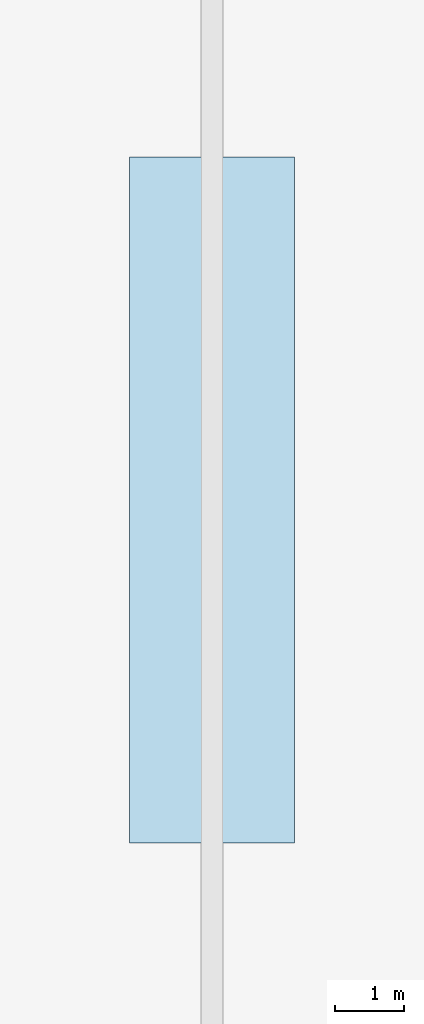
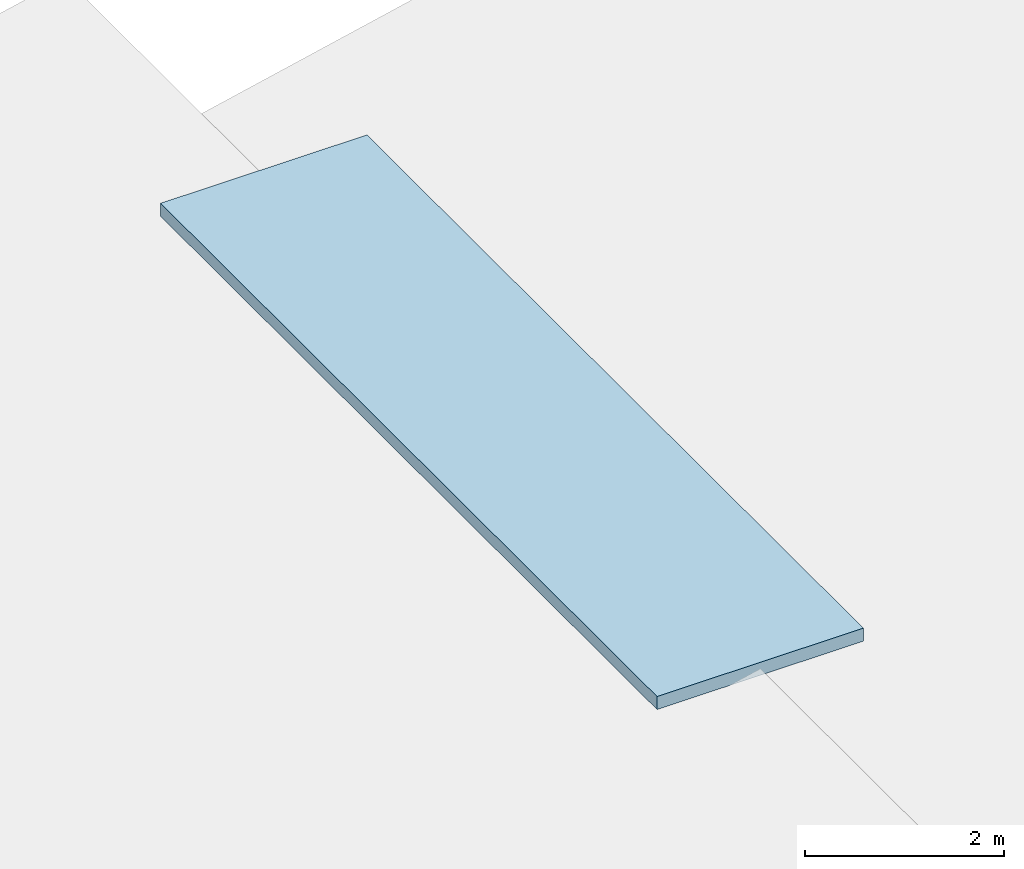
# One storey, part 79 of 80: 1 roof.
"""IFC4 building model written with IfcOpenShell, lengths in metres."""

from ifc_helpers import new_model, si_unit, direction, frame, origin, origin_2d, place, context, subcontext, project, spatial, rectangle, extrude, material, layer, layer_set, type_object, element, save


model = new_model("IFC4")

# Units and contexts
model_context = context("Model", 3, precision=1e-05, world=origin(), true_north=direction((0.0, 1.0)))
body_context = subcontext(model_context, "Body", "Model", "MODEL_VIEW")
ifc_project = project(units=[si_unit("LENGTHUNIT", "METRE"), si_unit("AREAUNIT", "SQUARE_METRE"), si_unit("VOLUMEUNIT", "CUBIC_METRE"), si_unit("PLANEANGLEUNIT", "RADIAN"), si_unit("MASSUNIT", "GRAM", prefix="KILO"), si_unit("THERMODYNAMICTEMPERATUREUNIT", "KELVIN"), si_unit("POWERUNIT", "WATT")], contexts=[model_context])

# Site, building, storey
site_placement = place(None, origin())
site = spatial("IfcSite", under=ifc_project, at=site_placement, CompositionType="ELEMENT")
building_placement = place(site_placement, origin())
building = spatial("IfcBuilding", under=site, at=building_placement, Name="Solmara Park Aquatics Centre", CompositionType="ELEMENT")
storey_placement = place(building_placement, frame((0.0, 0.0, 22.800048828125)))
storey = spatial("IfcBuildingStorey", under=building, at=storey_placement, Name="RF", CompositionType="ELEMENT", Elevation=22.800048828125)

# Roof
ifc_material = material(Name="Glulam Timber GL28h", Category="wood")
ifc_layer = layer(ifc_material, 0.159912109375, Name="Glulam Timber GL28h")
ifc_layer_set = layer_set([ifc_layer], Name="Glulam Timber GL28h")
roof_type = type_object("IfcRoofType", Name="STR-ROOF-SHED", PredefinedType="SHED_ROOF", material=ifc_layer_set)
roof_placement = place(storey_placement, frame((132.0, 127.0, -9.91015625), z_axis=(0.0, 0.0, 1.0), x_axis=(1.0, 0.0, 0.0)))
element("IfcRoof", 1, at=roof_placement, inside=storey, type_object=roof_type, Name="Training and Leisure Pool Sawtooth Roof", PredefinedType="SHED_ROOF", context=body_context, shape_type="SweptSolid", body=[
    extrude(rectangle(XDim=2.39990234375, YDim=10.0, at=origin_2d()), origin(), (0.0, 0.0, 1.0), 0.159912109375),
])

save(model, "model.ifc")
